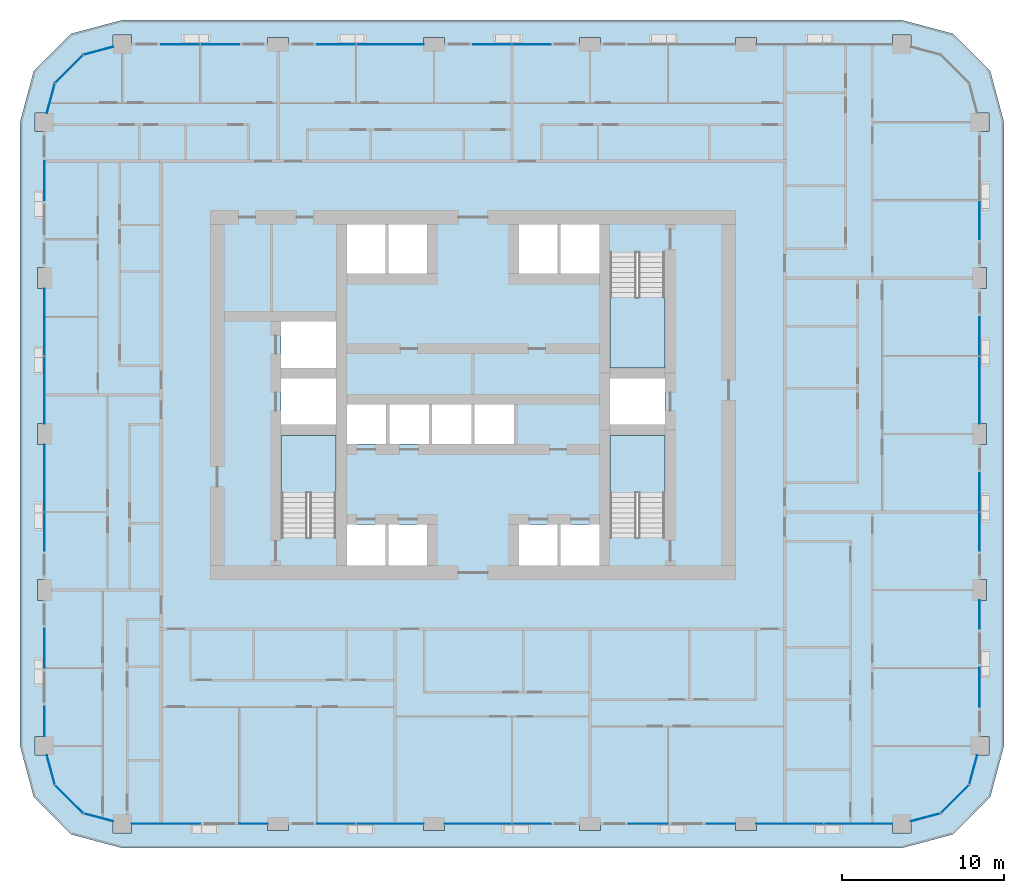
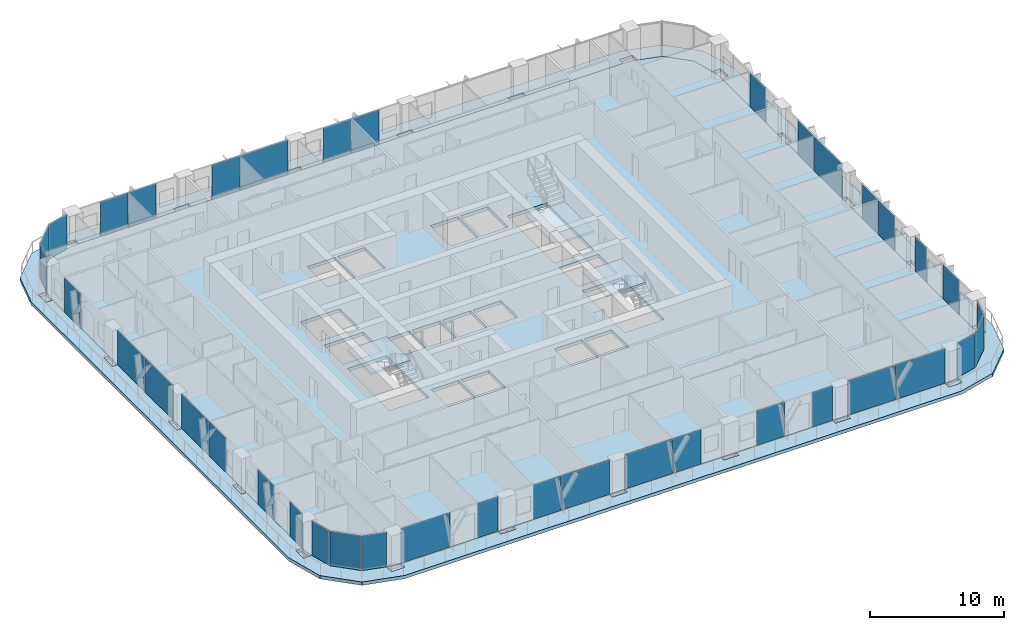
# One storey, part 7 of 22: 39 plates, 5 slabs, 22 elements without a shape of their own.
"""IFC4 building model written with IfcOpenShell, lengths in metres."""

from ifc_helpers import new_model, si_unit, direction, frame, origin, origin_2d, place, context, subcontext, project, spatial, polyline, rectangle, outline, extrude, material, layer, layer_set, type_object, element, aggregate, save


model = new_model("IFC4")

# Units and contexts
model_context = context("Model", 3, precision=1e-05, world=origin(), true_north=direction((0.0, 1.0)))
body_context = subcontext(model_context, "Body", "Model", "MODEL_VIEW")
ifc_project = project(units=[si_unit("LENGTHUNIT", "METRE"), si_unit("AREAUNIT", "SQUARE_METRE"), si_unit("VOLUMEUNIT", "CUBIC_METRE"), si_unit("PLANEANGLEUNIT", "RADIAN"), si_unit("MASSUNIT", "GRAM", prefix="KILO")], contexts=[model_context])

# Site, building, storey
site_placement = place(None, origin())
site = spatial("IfcSite", under=ifc_project, at=site_placement, CompositionType="ELEMENT")
building_placement = place(site_placement, origin())
building = spatial("IfcBuilding", under=site, at=building_placement, Name="Madar Terraces", CompositionType="ELEMENT")
storey_placement = place(building_placement, frame((0.0, 0.0, 73.300048828125)))
storey = spatial("IfcBuildingStorey", under=building, at=storey_placement, Name="L18", CompositionType="ELEMENT", Elevation=73.300048828125)

# Slabs
ifc_material_1 = material(Name="Concrete C50/60", Category="concrete")
ifc_layer_1 = layer(ifc_material_1, 0.300048828125)
ifc_layer_set_1 = layer_set([ifc_layer_1], Name="Balcony band 300")
slab_type_1 = type_object("IfcSlabType", Name="Balcony band 300", PredefinedType="FLOOR", material=ifc_layer_set_1)
slab_1_placement = place(storey_placement, frame((0.0, 0.0, -0.300048828125)))
element("IfcSlab", 1, at=slab_1_placement, inside=storey, type_object=slab_type_1, Name="Balcony band", PredefinedType="FLOOR", context=body_context, shape_type="SweptSolid", body=[
    extrude(outline(polyline([(9.60009765625, -1.5), (6.449951171875, -0.656005859375), (4.14404296875, 1.64990234375), (3.300048828125, 4.800048828125), (3.300048828125, 43.199951171875), (4.14404296875, 46.35009765625), (6.449951171875, 48.656005859375), (9.60009765625, 49.5), (57.60009765625, 49.5), (60.75, 48.656005859375), (63.055908203125, 46.35009765625), (63.89990234375, 43.199951171875), (63.89990234375, 4.800048828125), (63.055908203125, 1.64990234375), (60.75, -0.656005859375), (57.60009765625, -1.5), (9.60009765625, -1.5)]), holes=[polyline([(10.175048828125, -0.574951171875), (10.175048828125, 0.0), (18.550048828125, 0.0), (18.550048828125, -0.425048828125), (19.85009765625, -0.425048828125), (19.85009765625, 0.0), (28.14990234375, 0.0), (28.14990234375, -0.425048828125), (29.449951171875, -0.425048828125), (29.449951171875, 0.0), (37.75, 0.0), (37.75, -0.425048828125), (39.050048828125, -0.425048828125), (39.050048828125, 0.0), (47.35009765625, 0.0), (47.35009765625, -0.425048828125), (48.64990234375, -0.425048828125), (48.64990234375, 0.0), (57.02490234375, 0.0), (57.02490234375, -0.574951171875), (58.175048828125, -0.574951171875), (58.175048828125, 0.154052734375), (60.0, 0.64306640625), (61.7568359375, 2.39990234375), (62.245849609375, 4.22509765625), (62.97509765625, 4.22509765625), (62.97509765625, 5.375), (62.39990234375, 5.375), (62.39990234375, 13.75), (62.824951171875, 13.75), (62.824951171875, 15.050048828125), (62.39990234375, 15.050048828125), (62.39990234375, 23.35009765625), (62.824951171875, 23.35009765625), (62.824951171875, 24.64990234375), (62.39990234375, 24.64990234375), (62.39990234375, 32.949951171875), (62.824951171875, 32.949951171875), (62.824951171875, 34.25), (62.39990234375, 34.25), (62.39990234375, 42.625), (62.97509765625, 42.625), (62.97509765625, 43.77490234375), (62.245849609375, 43.77490234375), (61.7568359375, 45.60009765625), (60.0, 47.35693359375), (58.175048828125, 47.845947265625), (58.175048828125, 48.574951171875), (57.02490234375, 48.574951171875), (57.02490234375, 48.0), (48.64990234375, 48.0), (48.64990234375, 48.425048828125), (47.35009765625, 48.425048828125), (47.35009765625, 48.0), (39.050048828125, 48.0), (39.050048828125, 48.425048828125), (37.75, 48.425048828125), (37.75, 48.0), (29.449951171875, 48.0), (29.449951171875, 48.425048828125), (28.14990234375, 48.425048828125), (28.14990234375, 48.0), (19.85009765625, 48.0), (19.85009765625, 48.425048828125), (18.550048828125, 48.425048828125), (18.550048828125, 48.0), (10.175048828125, 48.0), (10.175048828125, 48.574951171875), (9.02490234375, 48.574951171875), (9.02490234375, 47.845947265625), (7.199951171875, 47.35693359375), (5.443115234375, 45.60009765625), (4.9541015625, 43.77490234375), (4.22509765625, 43.77490234375), (4.22509765625, 42.625), (4.800048828125, 42.625), (4.800048828125, 34.25), (4.375, 34.25), (4.375, 32.949951171875), (4.800048828125, 32.949951171875), (4.800048828125, 24.64990234375), (4.375, 24.64990234375), (4.375, 23.35009765625), (4.800048828125, 23.35009765625), (4.800048828125, 15.050048828125), (4.375, 15.050048828125), (4.375, 13.75), (4.800048828125, 13.75), (4.800048828125, 5.375), (4.22509765625, 5.375), (4.22509765625, 4.22509765625), (4.9541015625, 4.22509765625), (5.443115234375, 2.39990234375), (7.199951171875, 0.64306640625), (9.02490234375, 0.154052734375), (9.02490234375, -0.574951171875), (10.175048828125, -0.574951171875)])]), origin(), (0.0, 0.0, 1.0), 0.300048828125),
])
ifc_material_2 = material(Name="Concrete C50/60", Category="concrete")
ifc_layer_2 = layer(ifc_material_2, 0.300048828125)
ifc_layer_set_2 = layer_set([ifc_layer_2], Name="FS2 PT flat slab 300")
slab_type_2 = type_object("IfcSlabType", Name="FS2 PT flat slab 300", PredefinedType="FLOOR", material=ifc_layer_set_2)
slab_2_placement = place(storey_placement, frame((0.0, 0.0, -0.300048828125)))
element("IfcSlab", 2, at=slab_2_placement, inside=storey, type_object=slab_type_2, Name="Floor slab L18 (1)", PredefinedType="FLOOR", context=body_context, shape_type="SweptSolid", body=[
    extrude(outline(polyline([(57.60009765625, 0.0), (60.0, 0.64306640625), (61.7568359375, 2.39990234375), (62.39990234375, 4.800048828125), (62.39990234375, 43.199951171875), (61.7568359375, 45.60009765625), (60.0, 47.35693359375), (57.60009765625, 48.0), (9.60009765625, 48.0), (7.199951171875, 47.35693359375), (5.443115234375, 45.60009765625), (4.800048828125, 43.199951171875), (4.800048828125, 4.800048828125), (5.443115234375, 2.39990234375), (7.199951171875, 0.64306640625), (9.60009765625, 0.0), (57.60009765625, 0.0)]), holes=[polyline([(23.425048828125, 15.89990234375), (23.425048828125, 18.425048828125), (25.800048828125, 18.425048828125), (25.800048828125, 15.89990234375), (23.425048828125, 15.89990234375)]), polyline([(26.0, 15.89990234375), (26.0, 18.425048828125), (28.375, 18.425048828125), (28.375, 15.89990234375), (26.0, 15.89990234375)]), polyline([(19.375, 17.64990234375), (19.375, 23.925048828125), (22.77490234375, 23.925048828125), (22.77490234375, 17.64990234375), (19.375, 17.64990234375)]), polyline([(23.425048828125, 23.375), (23.425048828125, 25.824951171875), (25.85009765625, 25.824951171875), (25.85009765625, 23.375), (23.425048828125, 23.375)]), polyline([(26.050048828125, 23.375), (26.050048828125, 25.824951171875), (28.47509765625, 25.824951171875), (28.47509765625, 23.375), (26.050048828125, 23.375)]), polyline([(19.375, 24.574951171875), (19.375, 27.425048828125), (22.77490234375, 27.425048828125), (22.77490234375, 24.574951171875), (19.375, 24.574951171875)]), polyline([(19.375, 28.074951171875), (19.375, 30.925048828125), (22.77490234375, 30.925048828125), (22.77490234375, 28.074951171875), (19.375, 28.074951171875)]), polyline([(23.425048828125, 36.89990234375), (25.800048828125, 36.89990234375), (25.800048828125, 33.875), (23.425048828125, 33.875), (23.425048828125, 36.89990234375)]), polyline([(26.0, 36.89990234375), (28.375, 36.89990234375), (28.375, 33.875), (26.0, 33.875), (26.0, 36.89990234375)]), polyline([(34.02490234375, 15.89990234375), (34.02490234375, 18.425048828125), (36.39990234375, 18.425048828125), (36.39990234375, 15.89990234375), (34.02490234375, 15.89990234375)]), polyline([(36.60009765625, 15.89990234375), (36.60009765625, 18.425048828125), (38.97509765625, 18.425048828125), (38.97509765625, 15.89990234375), (36.60009765625, 15.89990234375)]), polyline([(39.625, 17.64990234375), (39.625, 23.925048828125), (43.02490234375, 23.925048828125), (43.02490234375, 17.64990234375), (39.625, 17.64990234375)]), polyline([(28.675048828125, 23.375), (28.675048828125, 25.824951171875), (31.10009765625, 25.824951171875), (31.10009765625, 23.375), (28.675048828125, 23.375)]), polyline([(31.300048828125, 23.375), (31.300048828125, 25.824951171875), (33.72509765625, 25.824951171875), (33.72509765625, 23.375), (31.300048828125, 23.375)]), polyline([(39.625, 24.574951171875), (39.625, 27.425048828125), (43.02490234375, 27.425048828125), (43.02490234375, 24.574951171875), (39.625, 24.574951171875)]), polyline([(39.625, 28.074951171875), (39.625, 35.14990234375), (43.02490234375, 35.14990234375), (43.02490234375, 28.074951171875), (39.625, 28.074951171875)]), polyline([(34.02490234375, 36.89990234375), (36.39990234375, 36.89990234375), (36.39990234375, 33.875), (34.02490234375, 33.875), (34.02490234375, 36.89990234375)]), polyline([(36.60009765625, 36.89990234375), (38.97509765625, 36.89990234375), (38.97509765625, 33.875), (36.60009765625, 33.875), (36.60009765625, 36.89990234375)])]), origin(), (0.0, 0.0, 1.0), 0.300048828125),
])

# Curtain wall, plates
ifc_material_3 = material(Name="Glass, ceramic frit dark grey, with black aluminium frame", Category="aluminium")
ifc_layer_3 = layer(ifc_material_3, 0.199951171875)
ifc_layer_set_3 = layer_set([ifc_layer_3], Name="Facade curtain wall, fritted glass")
curtain_wall_type = type_object("IfcCurtainWallType", Name="Facade curtain wall, fritted glass", PredefinedType="NOTDEFINED", material=ifc_layer_set_3)
curtain_wall_1_placement = place(storey_placement, origin())
curtain_wall_1 = element("IfcCurtainWall", 3, at=curtain_wall_1_placement, inside=storey, type_object=curtain_wall_type, Name="Outer skin curtain wall south bay 1", PredefinedType="NOTDEFINED")
ifc_material_4 = material(Name="Glass, ceramic frit dark grey", Category="glass")
ifc_layer_4 = layer(ifc_material_4, 0.028076171875)
ifc_layer_set_4 = layer_set([ifc_layer_4], Name="Facade glass panel 28")
plate_type = type_object("IfcPlateType", Name="Facade glass panel 28", PredefinedType="CURTAIN_PANEL", material=ifc_layer_set_4)
plate_1_placement = place(storey_placement, frame((12.28759765625, 0.0, 0.0), z_axis=(0.0, 0.0, 1.0), x_axis=(1.0, 0.0, 0.0)))
plate_1 = element("IfcPlate", 4, at=plate_1_placement, type_object=plate_type, Name="Panel 1", PredefinedType="CURTAIN_PANEL", context=body_context, shape_type="SweptSolid", body=[
    extrude(rectangle(XDim=4.22509765625, YDim=0.028076171875, at=origin_2d()), origin(), (0.0, 0.0, 1.0), 3.139892578125),
])
plate_2_placement = place(storey_placement, frame((17.675048828125, 0.0, 0.0), z_axis=(0.0, 0.0, 1.0), x_axis=(1.0, 0.0, 0.0)))
plate_2 = element("IfcPlate", 5, at=plate_2_placement, type_object=plate_type, Name="Panel 2", PredefinedType="CURTAIN_PANEL", context=body_context, shape_type="SweptSolid", body=[
    extrude(rectangle(XDim=1.75, YDim=0.028076171875, at=origin_2d()), origin(), (0.0, 0.0, 1.0), 3.139892578125),
])
aggregate(curtain_wall_1, [plate_1, plate_2])

curtain_wall_2_placement = place(storey_placement, origin())
curtain_wall_2 = element("IfcCurtainWall", 6, at=curtain_wall_2_placement, inside=storey, type_object=curtain_wall_type, Name="Outer skin curtain wall south bay 2", PredefinedType="NOTDEFINED")
plate_3_placement = place(storey_placement, frame((22.784912109375, 0.0, 0.0), z_axis=(0.0, 0.0, 1.0), x_axis=(1.0, 0.0, 0.0)))
plate_3 = element("IfcPlate", 7, at=plate_3_placement, type_object=plate_type, Name="Panel 1", PredefinedType="CURTAIN_PANEL", context=body_context, shape_type="SweptSolid", body=[
    extrude(rectangle(XDim=2.3701171875, YDim=0.028076171875, at=origin_2d()), origin(), (0.0, 0.0, 1.0), 3.139892578125),
])
plate_4_placement = place(storey_placement, frame((26.090087890625, 0.0, 0.0), z_axis=(0.0, 0.0, 1.0), x_axis=(1.0, 0.0, 0.0)))
plate_4 = element("IfcPlate", 8, at=plate_4_placement, type_object=plate_type, Name="Panel 2", PredefinedType="CURTAIN_PANEL", context=body_context, shape_type="SweptSolid", body=[
    extrude(rectangle(XDim=4.1201171875, YDim=0.028076171875, at=origin_2d()), origin(), (0.0, 0.0, 1.0), 3.139892578125),
])
aggregate(curtain_wall_2, [plate_3, plate_4])

curtain_wall_3_placement = place(storey_placement, origin())
curtain_wall_3 = element("IfcCurtainWall", 9, at=curtain_wall_3_placement, inside=storey, type_object=curtain_wall_type, Name="Outer skin curtain wall south bay 3", PredefinedType="NOTDEFINED")
plate_5_placement = place(storey_placement, frame((31.510009765625, 0.0, 0.0), z_axis=(0.0, 0.0, 1.0), x_axis=(1.0, 0.0, 0.0)))
plate_5 = element("IfcPlate", 10, at=plate_5_placement, type_object=plate_type, Name="Panel 1", PredefinedType="CURTAIN_PANEL", context=body_context, shape_type="SweptSolid", body=[
    extrude(rectangle(XDim=4.1201171875, YDim=0.028076171875, at=origin_2d()), origin(), (0.0, 0.0, 1.0), 3.139892578125),
])
plate_6_placement = place(storey_placement, frame((34.81494140625, 0.0, 0.0), z_axis=(0.0, 0.0, 1.0), x_axis=(1.0, 0.0, 0.0)))
plate_6 = element("IfcPlate", 11, at=plate_6_placement, type_object=plate_type, Name="Panel 2", PredefinedType="CURTAIN_PANEL", context=body_context, shape_type="SweptSolid", body=[
    extrude(rectangle(XDim=2.3701171875, YDim=0.028076171875, at=origin_2d()), origin(), (0.0, 0.0, 1.0), 3.139892578125),
])
aggregate(curtain_wall_3, [plate_5, plate_6])

curtain_wall_4_placement = place(storey_placement, origin())
curtain_wall_4 = element("IfcCurtainWall", 12, at=curtain_wall_4_placement, inside=storey, type_object=curtain_wall_type, Name="Outer skin curtain wall south bay 4", PredefinedType="NOTDEFINED")
plate_7_placement = place(storey_placement, frame((42.0, 0.0, 0.0), z_axis=(0.0, 0.0, 1.0), x_axis=(1.0, 0.0, 0.0)))
plate_7 = element("IfcPlate", 13, at=plate_7_placement, type_object=plate_type, Name="Panel 1", PredefinedType="CURTAIN_PANEL", context=body_context, shape_type="SweptSolid", body=[
    extrude(rectangle(XDim=2.39990234375, YDim=0.028076171875, at=origin_2d()), origin(), (0.0, 0.0, 1.0), 3.139892578125),
])
plate_8_placement = place(storey_placement, frame((46.47509765625, 0.0, 0.0), z_axis=(0.0, 0.0, 1.0), x_axis=(1.0, 0.0, 0.0)))
plate_8 = element("IfcPlate", 14, at=plate_8_placement, type_object=plate_type, Name="Panel 2", PredefinedType="CURTAIN_PANEL", context=body_context, shape_type="SweptSolid", body=[
    extrude(rectangle(XDim=1.75, YDim=0.028076171875, at=origin_2d()), origin(), (0.0, 0.0, 1.0), 3.139892578125),
])
aggregate(curtain_wall_4, [plate_7, plate_8])

curtain_wall_5_placement = place(storey_placement, origin())
curtain_wall_5 = element("IfcCurtainWall", 15, at=curtain_wall_5_placement, inside=storey, type_object=curtain_wall_type, Name="Outer skin curtain wall south bay 5", PredefinedType="NOTDEFINED")
plate_9_placement = place(storey_placement, frame((50.7099609375, 0.0, 0.0), z_axis=(0.0, 0.0, 1.0), x_axis=(1.0, 0.0, 0.0)))
plate_9 = element("IfcPlate", 16, at=plate_9_placement, type_object=plate_type, Name="Panel 1", PredefinedType="CURTAIN_PANEL", context=body_context, shape_type="SweptSolid", body=[
    extrude(rectangle(XDim=4.1201171875, YDim=0.028076171875, at=origin_2d()), origin(), (0.0, 0.0, 1.0), 3.139892578125),
])
plate_10_placement = place(storey_placement, frame((54.927490234375, 0.0, 0.0), z_axis=(0.0, 0.0, 1.0), x_axis=(1.0, 0.0, 0.0)))
plate_10 = element("IfcPlate", 17, at=plate_10_placement, type_object=plate_type, Name="Panel 2", PredefinedType="CURTAIN_PANEL", context=body_context, shape_type="SweptSolid", body=[
    extrude(rectangle(XDim=4.195068359375, YDim=0.028076171875, at=origin_2d()), origin(), (0.0, 0.0, 1.0), 3.139892578125),
])
aggregate(curtain_wall_5, [plate_9, plate_10])

curtain_wall_6_placement = place(storey_placement, origin())
curtain_wall_6 = element("IfcCurtainWall", 18, at=curtain_wall_6_placement, inside=storey, type_object=curtain_wall_type, Name="Outer skin curtain wall east bay 1", PredefinedType="NOTDEFINED")
plate_11_placement = place(storey_placement, frame((62.39990234375, 8.39990234375, 0.0), z_axis=(0.0, 0.0, 1.0), x_axis=(0.0, 1.0, 0.0)))
plate_11 = element("IfcPlate", 19, at=plate_11_placement, type_object=plate_type, Name="Panel 1", PredefinedType="CURTAIN_PANEL", context=body_context, shape_type="SweptSolid", body=[
    extrude(rectangle(XDim=2.39990234375, YDim=0.028076171875, at=origin_2d()), origin(), (0.0, 0.0, 1.0), 3.139892578125),
])
plate_12_placement = place(storey_placement, frame((62.39990234375, 12.875, 0.0), z_axis=(0.0, 0.0, 1.0), x_axis=(0.0, 1.0, 0.0)))
plate_12 = element("IfcPlate", 20, at=plate_12_placement, type_object=plate_type, Name="Panel 2", PredefinedType="CURTAIN_PANEL", context=body_context, shape_type="SweptSolid", body=[
    extrude(rectangle(XDim=1.75, YDim=0.028076171875, at=origin_2d()), origin(), (0.0, 0.0, 1.0), 3.139892578125),
])
aggregate(curtain_wall_6, [plate_11, plate_12])

curtain_wall_7_placement = place(storey_placement, origin())
curtain_wall_7 = element("IfcCurtainWall", 21, at=curtain_wall_7_placement, inside=storey, type_object=curtain_wall_type, Name="Outer skin curtain wall east bay 2", PredefinedType="NOTDEFINED")
plate_13_placement = place(storey_placement, frame((62.39990234375, 17.985107421875, 0.0), z_axis=(0.0, 0.0, 1.0), x_axis=(0.0, 1.0, 0.0)))
plate_13 = element("IfcPlate", 22, at=plate_13_placement, type_object=plate_type, Name="Panel 1", PredefinedType="CURTAIN_PANEL", context=body_context, shape_type="SweptSolid", body=[
    extrude(rectangle(XDim=2.3701171875, YDim=0.028076171875, at=origin_2d()), origin(), (0.0, 0.0, 1.0), 3.139892578125),
])
plate_14_placement = place(storey_placement, frame((62.39990234375, 20.4150390625, 0.0), z_axis=(0.0, 0.0, 1.0), x_axis=(0.0, 1.0, 0.0)))
plate_14 = element("IfcPlate", 23, at=plate_14_placement, type_object=plate_type, Name="Panel 2", PredefinedType="CURTAIN_PANEL", context=body_context, shape_type="SweptSolid", body=[
    extrude(rectangle(XDim=2.3701171875, YDim=0.028076171875, at=origin_2d()), origin(), (0.0, 0.0, 1.0), 3.139892578125),
])
aggregate(curtain_wall_7, [plate_13, plate_14])

curtain_wall_8_placement = place(storey_placement, origin())
curtain_wall_8 = element("IfcCurtainWall", 24, at=curtain_wall_8_placement, inside=storey, type_object=curtain_wall_type, Name="Outer skin curtain wall east bay 3", PredefinedType="NOTDEFINED")
plate_15_placement = place(storey_placement, frame((62.39990234375, 26.7099609375, 0.0), z_axis=(0.0, 0.0, 1.0), x_axis=(0.0, 1.0, 0.0)))
plate_15 = element("IfcPlate", 25, at=plate_15_placement, type_object=plate_type, Name="Panel 1", PredefinedType="CURTAIN_PANEL", context=body_context, shape_type="SweptSolid", body=[
    extrude(rectangle(XDim=4.1201171875, YDim=0.028076171875, at=origin_2d()), origin(), (0.0, 0.0, 1.0), 3.139892578125),
])
plate_16_placement = place(storey_placement, frame((62.39990234375, 30.014892578125, 0.0), z_axis=(0.0, 0.0, 1.0), x_axis=(0.0, 1.0, 0.0)))
plate_16 = element("IfcPlate", 26, at=plate_16_placement, type_object=plate_type, Name="Panel 2", PredefinedType="CURTAIN_PANEL", context=body_context, shape_type="SweptSolid", body=[
    extrude(rectangle(XDim=2.3701171875, YDim=0.028076171875, at=origin_2d()), origin(), (0.0, 0.0, 1.0), 3.139892578125),
])
aggregate(curtain_wall_8, [plate_15, plate_16])

# Curtain wall, plate
curtain_wall_9_placement = place(storey_placement, origin())
curtain_wall_9 = element("IfcCurtainWall", 27, at=curtain_wall_9_placement, inside=storey, type_object=curtain_wall_type, Name="Outer skin curtain wall east bay 4", PredefinedType="NOTDEFINED")
plate_17_placement = place(storey_placement, frame((62.39990234375, 37.18505859375, 0.0), z_axis=(0.0, 0.0, 1.0), x_axis=(0.0, 1.0, 0.0)))
plate_17 = element("IfcPlate", 28, at=plate_17_placement, type_object=plate_type, Name="Panel 1", PredefinedType="CURTAIN_PANEL", context=body_context, shape_type="SweptSolid", body=[
    extrude(rectangle(XDim=2.3701171875, YDim=0.028076171875, at=origin_2d()), origin(), (0.0, 0.0, 1.0), 3.139892578125),
])
aggregate(curtain_wall_9, [plate_17])

# Curtain wall, plates
curtain_wall_10_placement = place(storey_placement, origin())
curtain_wall_10 = element("IfcCurtainWall", 29, at=curtain_wall_10_placement, inside=storey, type_object=curtain_wall_type, Name="Outer skin curtain wall north bay 3", PredefinedType="NOTDEFINED")
plate_18_placement = place(storey_placement, frame((34.81494140625, 48.0, 0.0), z_axis=(0.0, 0.0, 1.0), x_axis=(-1.0, 0.0, 0.0)))
plate_18 = element("IfcPlate", 30, at=plate_18_placement, type_object=plate_type, Name="Panel 1", PredefinedType="CURTAIN_PANEL", context=body_context, shape_type="SweptSolid", body=[
    extrude(rectangle(XDim=2.3701171875, YDim=0.028076171875, at=origin_2d()), origin(), (0.0, 0.0, 1.0), 3.139892578125),
])
plate_19_placement = place(storey_placement, frame((32.385009765625, 48.0, 0.0), z_axis=(0.0, 0.0, 1.0), x_axis=(-1.0, 0.0, 0.0)))
plate_19 = element("IfcPlate", 31, at=plate_19_placement, type_object=plate_type, Name="Panel 2", PredefinedType="CURTAIN_PANEL", context=body_context, shape_type="SweptSolid", body=[
    extrude(rectangle(XDim=2.3701171875, YDim=0.028076171875, at=origin_2d()), origin(), (0.0, 0.0, 1.0), 3.139892578125),
])
aggregate(curtain_wall_10, [plate_18, plate_19])

curtain_wall_11_placement = place(storey_placement, origin())
curtain_wall_11 = element("IfcCurtainWall", 32, at=curtain_wall_11_placement, inside=storey, type_object=curtain_wall_type, Name="Outer skin curtain wall north bay 4", PredefinedType="NOTDEFINED")
plate_20_placement = place(storey_placement, frame((26.090087890625, 48.0, 0.0), z_axis=(0.0, 0.0, 1.0), x_axis=(-1.0, 0.0, 0.0)))
plate_20 = element("IfcPlate", 33, at=plate_20_placement, type_object=plate_type, Name="Panel 1", PredefinedType="CURTAIN_PANEL", context=body_context, shape_type="SweptSolid", body=[
    extrude(rectangle(XDim=4.1201171875, YDim=0.028076171875, at=origin_2d()), origin(), (0.0, 0.0, 1.0), 3.139892578125),
])
plate_21_placement = place(storey_placement, frame((22.784912109375, 48.0, 0.0), z_axis=(0.0, 0.0, 1.0), x_axis=(-1.0, 0.0, 0.0)))
plate_21 = element("IfcPlate", 34, at=plate_21_placement, type_object=plate_type, Name="Panel 2", PredefinedType="CURTAIN_PANEL", context=body_context, shape_type="SweptSolid", body=[
    extrude(rectangle(XDim=2.3701171875, YDim=0.028076171875, at=origin_2d()), origin(), (0.0, 0.0, 1.0), 3.139892578125),
])
aggregate(curtain_wall_11, [plate_20, plate_21])

curtain_wall_12_placement = place(storey_placement, origin())
curtain_wall_12 = element("IfcCurtainWall", 35, at=curtain_wall_12_placement, inside=storey, type_object=curtain_wall_type, Name="Outer skin curtain wall north bay 5", PredefinedType="NOTDEFINED")
plate_22_placement = place(storey_placement, frame((15.614990234375, 48.0, 0.0), z_axis=(0.0, 0.0, 1.0), x_axis=(-1.0, 0.0, 0.0)))
plate_22 = element("IfcPlate", 36, at=plate_22_placement, type_object=plate_type, Name="Panel 1", PredefinedType="CURTAIN_PANEL", context=body_context, shape_type="SweptSolid", body=[
    extrude(rectangle(XDim=2.3701171875, YDim=0.028076171875, at=origin_2d()), origin(), (0.0, 0.0, 1.0), 3.139892578125),
])
plate_23_placement = place(storey_placement, frame((13.18505859375, 48.0, 0.0), z_axis=(0.0, 0.0, 1.0), x_axis=(-1.0, 0.0, 0.0)))
plate_23 = element("IfcPlate", 37, at=plate_23_placement, type_object=plate_type, Name="Panel 2", PredefinedType="CURTAIN_PANEL", context=body_context, shape_type="SweptSolid", body=[
    extrude(rectangle(XDim=2.3701171875, YDim=0.028076171875, at=origin_2d()), origin(), (0.0, 0.0, 1.0), 3.139892578125),
])
aggregate(curtain_wall_12, [plate_22, plate_23])

# Curtain wall, plate
curtain_wall_13_placement = place(storey_placement, origin())
curtain_wall_13 = element("IfcCurtainWall", 38, at=curtain_wall_13_placement, inside=storey, type_object=curtain_wall_type, Name="Outer skin curtain wall west bay 1", PredefinedType="NOTDEFINED")
plate_24_placement = place(storey_placement, frame((4.800048828125, 39.60009765625, 0.0), z_axis=(0.0, 0.0, 1.0), x_axis=(0.0, -1.0, 0.0)))
plate_24 = element("IfcPlate", 39, at=plate_24_placement, type_object=plate_type, Name="Panel 1", PredefinedType="CURTAIN_PANEL", context=body_context, shape_type="SweptSolid", body=[
    extrude(rectangle(XDim=2.39990234375, YDim=0.028076171875, at=origin_2d()), origin(), (0.0, 0.0, 1.0), 3.139892578125),
])
aggregate(curtain_wall_13, [plate_24])

# Curtain wall, plates
curtain_wall_14_placement = place(storey_placement, origin())
curtain_wall_14 = element("IfcCurtainWall", 40, at=curtain_wall_14_placement, inside=storey, type_object=curtain_wall_type, Name="Outer skin curtain wall west bay 2", PredefinedType="NOTDEFINED")
plate_25_placement = place(storey_placement, frame((4.800048828125, 30.889892578125, 0.0), z_axis=(0.0, 0.0, 1.0), x_axis=(0.0, -1.0, 0.0)))
plate_25 = element("IfcPlate", 41, at=plate_25_placement, type_object=plate_type, Name="Panel 1", PredefinedType="CURTAIN_PANEL", context=body_context, shape_type="SweptSolid", body=[
    extrude(rectangle(XDim=4.1201171875, YDim=0.028076171875, at=origin_2d()), origin(), (0.0, 0.0, 1.0), 3.139892578125),
])
plate_26_placement = place(storey_placement, frame((4.800048828125, 26.7099609375, 0.0), z_axis=(0.0, 0.0, 1.0), x_axis=(0.0, -1.0, 0.0)))
plate_26 = element("IfcPlate", 42, at=plate_26_placement, type_object=plate_type, Name="Panel 2", PredefinedType="CURTAIN_PANEL", context=body_context, shape_type="SweptSolid", body=[
    extrude(rectangle(XDim=4.1201171875, YDim=0.028076171875, at=origin_2d()), origin(), (0.0, 0.0, 1.0), 3.139892578125),
])
aggregate(curtain_wall_14, [plate_25, plate_26])

curtain_wall_15_placement = place(storey_placement, origin())
curtain_wall_15 = element("IfcCurtainWall", 43, at=curtain_wall_15_placement, inside=storey, type_object=curtain_wall_type, Name="Outer skin curtain wall west bay 3", PredefinedType="NOTDEFINED")
plate_27_placement = place(storey_placement, frame((4.800048828125, 21.2900390625, 0.0), z_axis=(0.0, 0.0, 1.0), x_axis=(0.0, -1.0, 0.0)))
plate_27 = element("IfcPlate", 44, at=plate_27_placement, type_object=plate_type, Name="Panel 1", PredefinedType="CURTAIN_PANEL", context=body_context, shape_type="SweptSolid", body=[
    extrude(rectangle(XDim=4.1201171875, YDim=0.028076171875, at=origin_2d()), origin(), (0.0, 0.0, 1.0), 3.139892578125),
])
plate_28_placement = place(storey_placement, frame((4.800048828125, 17.985107421875, 0.0), z_axis=(0.0, 0.0, 1.0), x_axis=(0.0, -1.0, 0.0)))
plate_28 = element("IfcPlate", 45, at=plate_28_placement, type_object=plate_type, Name="Panel 2", PredefinedType="CURTAIN_PANEL", context=body_context, shape_type="SweptSolid", body=[
    extrude(rectangle(XDim=2.3701171875, YDim=0.028076171875, at=origin_2d()), origin(), (0.0, 0.0, 1.0), 3.139892578125),
])
aggregate(curtain_wall_15, [plate_27, plate_28])

curtain_wall_16_placement = place(storey_placement, origin())
curtain_wall_16 = element("IfcCurtainWall", 46, at=curtain_wall_16_placement, inside=storey, type_object=curtain_wall_type, Name="Outer skin curtain wall west bay 4", PredefinedType="NOTDEFINED")
plate_29_placement = place(storey_placement, frame((4.800048828125, 10.800048828125, 0.0), z_axis=(0.0, 0.0, 1.0), x_axis=(0.0, -1.0, 0.0)))
plate_29 = element("IfcPlate", 47, at=plate_29_placement, type_object=plate_type, Name="Panel 1", PredefinedType="CURTAIN_PANEL", context=body_context, shape_type="SweptSolid", body=[
    extrude(rectangle(XDim=2.39990234375, YDim=0.028076171875, at=origin_2d()), origin(), (0.0, 0.0, 1.0), 3.139892578125),
])
plate_30_placement = place(storey_placement, frame((4.800048828125, 6.28759765625, 0.0), z_axis=(0.0, 0.0, 1.0), x_axis=(0.0, -1.0, 0.0)))
plate_30 = element("IfcPlate", 48, at=plate_30_placement, type_object=plate_type, Name="Panel 2", PredefinedType="CURTAIN_PANEL", context=body_context, shape_type="SweptSolid", body=[
    extrude(rectangle(XDim=1.824951171875, YDim=0.028076171875, at=origin_2d()), origin(), (0.0, 0.0, 1.0), 3.139892578125),
])
aggregate(curtain_wall_16, [plate_29, plate_30])

curtain_wall_17_placement = place(storey_placement, origin())
curtain_wall_17 = element("IfcCurtainWall", 49, at=curtain_wall_17_placement, inside=storey, type_object=curtain_wall_type, Name="Outer skin curtain wall south-east corner", PredefinedType="NOTDEFINED")
plate_31_placement = place(storey_placement, frame((59.072998046875, 0.394775390625, 0.0), z_axis=(0.0, 0.0, 1.0), x_axis=(0.965925832509, 0.258819021888, 0.0)))
plate_31 = element("IfcPlate", 50, at=plate_31_placement, type_object=plate_type, Name="Panel 1", PredefinedType="CURTAIN_PANEL", context=body_context, shape_type="SweptSolid", body=[
    extrude(rectangle(XDim=1.859375, YDim=0.028076171875, at=origin_2d()), origin(), (0.0, 0.0, 1.0), 3.139892578125),
])
plate_32_placement = place(storey_placement, frame((60.87841796875, 1.521484375, 0.0), z_axis=(0.0, 0.0, 1.0), x_axis=(0.707106781187, 0.707106781187, 0.0)))
plate_32 = element("IfcPlate", 51, at=plate_32_placement, type_object=plate_type, Name="Panel 2", PredefinedType="CURTAIN_PANEL", context=body_context, shape_type="SweptSolid", body=[
    extrude(rectangle(XDim=2.424560546875, YDim=0.028076171875, at=origin_2d()), origin(), (0.0, 0.0, 1.0), 3.139892578125),
])
plate_33_placement = place(storey_placement, frame((62.00537109375, 3.326904296875, 0.0), z_axis=(0.0, 0.0, 1.0), x_axis=(0.258819021888, 0.965925832509, 0.0)))
plate_33 = element("IfcPlate", 52, at=plate_33_placement, type_object=plate_type, Name="Panel 3", PredefinedType="CURTAIN_PANEL", context=body_context, shape_type="SweptSolid", body=[
    extrude(rectangle(XDim=1.859375, YDim=0.028076171875, at=origin_2d()), origin(), (0.0, 0.0, 1.0), 3.139892578125),
])
aggregate(curtain_wall_17, [plate_31, plate_32, plate_33])

curtain_wall_18_placement = place(storey_placement, origin())
curtain_wall_18 = element("IfcCurtainWall", 53, at=curtain_wall_18_placement, inside=storey, type_object=curtain_wall_type, Name="Outer skin curtain wall north-west corner", PredefinedType="NOTDEFINED")
plate_34_placement = place(storey_placement, frame((8.126953125, 47.605224609375, 0.0), z_axis=(0.0, 0.0, 1.0), x_axis=(-0.965925832509, -0.258819021888, 0.0)))
plate_34 = element("IfcPlate", 54, at=plate_34_placement, type_object=plate_type, Name="Panel 1", PredefinedType="CURTAIN_PANEL", context=body_context, shape_type="SweptSolid", body=[
    extrude(rectangle(XDim=1.859375, YDim=0.028076171875, at=origin_2d()), origin(), (0.0, 0.0, 1.0), 3.139892578125),
])
plate_35_placement = place(storey_placement, frame((6.321533203125, 46.478515625, 0.0), z_axis=(0.0, 0.0, 1.0), x_axis=(-0.707106781187, -0.707106781187, 0.0)))
plate_35 = element("IfcPlate", 55, at=plate_35_placement, type_object=plate_type, Name="Panel 2", PredefinedType="CURTAIN_PANEL", context=body_context, shape_type="SweptSolid", body=[
    extrude(rectangle(XDim=2.424560546875, YDim=0.028076171875, at=origin_2d()), origin(), (0.0, 0.0, 1.0), 3.139892578125),
])
plate_36_placement = place(storey_placement, frame((5.194580078125, 44.673095703125, 0.0), z_axis=(0.0, 0.0, 1.0), x_axis=(-0.258819021888, -0.965925832509, 0.0)))
plate_36 = element("IfcPlate", 56, at=plate_36_placement, type_object=plate_type, Name="Panel 3", PredefinedType="CURTAIN_PANEL", context=body_context, shape_type="SweptSolid", body=[
    extrude(rectangle(XDim=1.859375, YDim=0.028076171875, at=origin_2d()), origin(), (0.0, 0.0, 1.0), 3.139892578125),
])
aggregate(curtain_wall_18, [plate_34, plate_35, plate_36])

curtain_wall_19_placement = place(storey_placement, origin())
curtain_wall_19 = element("IfcCurtainWall", 57, at=curtain_wall_19_placement, inside=storey, type_object=curtain_wall_type, Name="Outer skin curtain wall south-west corner", PredefinedType="NOTDEFINED")
plate_37_placement = place(storey_placement, frame((5.194580078125, 3.326904296875, 0.0), z_axis=(0.0, 0.0, 1.0), x_axis=(0.258819021888, -0.965925832509, 0.0)))
plate_37 = element("IfcPlate", 58, at=plate_37_placement, type_object=plate_type, Name="Panel 1", PredefinedType="CURTAIN_PANEL", context=body_context, shape_type="SweptSolid", body=[
    extrude(rectangle(XDim=1.859375, YDim=0.028076171875, at=origin_2d()), origin(), (0.0, 0.0, 1.0), 3.139892578125),
])
plate_38_placement = place(storey_placement, frame((6.321533203125, 1.521484375, 0.0), z_axis=(0.0, 0.0, 1.0), x_axis=(0.707106781187, -0.707106781187, 0.0)))
plate_38 = element("IfcPlate", 59, at=plate_38_placement, type_object=plate_type, Name="Panel 2", PredefinedType="CURTAIN_PANEL", context=body_context, shape_type="SweptSolid", body=[
    extrude(rectangle(XDim=2.424560546875, YDim=0.028076171875, at=origin_2d()), origin(), (0.0, 0.0, 1.0), 3.139892578125),
])
plate_39_placement = place(storey_placement, frame((8.126953125, 0.394775390625, 0.0), z_axis=(0.0, 0.0, 1.0), x_axis=(0.965925832509, -0.258819021888, 0.0)))
plate_39 = element("IfcPlate", 60, at=plate_39_placement, type_object=plate_type, Name="Panel 3", PredefinedType="CURTAIN_PANEL", context=body_context, shape_type="SweptSolid", body=[
    extrude(rectangle(XDim=1.859375, YDim=0.028076171875, at=origin_2d()), origin(), (0.0, 0.0, 1.0), 3.139892578125),
])
aggregate(curtain_wall_19, [plate_37, plate_38, plate_39])

# Stair, slab
ifc_material_5 = material(Name="Concrete C50/60", Category="concrete")
stair_type_1 = type_object("IfcStairType", Name="Stair ST1 protected exit", PredefinedType="HALF_TURN_STAIR", material=ifc_material_5)
stair_1_placement = place(storey_placement, origin())
stair_1 = element("IfcStair", 61, at=stair_1_placement, inside=storey, type_object=stair_type_1, Name="L18 Protected Exit Stair ST1", PredefinedType="HALF_TURN_STAIR")
ifc_material_6 = material(Name="Concrete C50/60", Category="concrete")
ifc_layer_5 = layer(ifc_material_6, 0.199951171875)
ifc_layer_set_5 = layer_set([ifc_layer_5], Name="Stair landing 200, top +1.75")
slab_type_3 = type_object("IfcSlabType", Name="Stair landing 200, top +1.75", PredefinedType="LANDING", material=ifc_layer_set_5)
slab_3_placement = place(storey_placement, frame((0.0, 0.0, 1.550048828125)))
slab_3 = element("IfcSlab", 62, at=slab_3_placement, type_object=slab_type_3, Name="ST1 landing 1", PredefinedType="LANDING", context=body_context, shape_type="SweptSolid", body=[
    extrude(outline(polyline([(19.375, 20.360107421875), (22.77490234375, 20.360107421875), (22.77490234375, 23.925048828125), (19.375, 23.925048828125), (19.375, 20.360107421875)])), origin(), (0.0, 0.0, 1.0), 0.199951171875),
])
aggregate(stair_1, [slab_3])

ifc_material_7 = material(Name="Concrete C50/60", Category="concrete")
stair_type_2 = type_object("IfcStairType", Name="Stair ST2 protected exit", PredefinedType="HALF_TURN_STAIR", material=ifc_material_7)
stair_2_placement = place(storey_placement, origin())
stair_2 = element("IfcStair", 63, at=stair_2_placement, inside=storey, type_object=stair_type_2, Name="L18 Protected Exit Stair ST2", PredefinedType="HALF_TURN_STAIR")
slab_4_placement = place(storey_placement, frame((0.0, 0.0, 1.550048828125)))
slab_4 = element("IfcSlab", 64, at=slab_4_placement, type_object=slab_type_3, Name="ST2 landing 1", PredefinedType="LANDING", context=body_context, shape_type="SweptSolid", body=[
    extrude(outline(polyline([(39.625, 28.074951171875), (43.02490234375, 28.074951171875), (43.02490234375, 32.43994140625), (39.625, 32.43994140625), (39.625, 28.074951171875)])), origin(), (0.0, 0.0, 1.0), 0.199951171875),
])
aggregate(stair_2, [slab_4])

ifc_material_8 = material(Name="Concrete C50/60", Category="concrete")
stair_type_3 = type_object("IfcStairType", Name="Stair ST3 protected exit", PredefinedType="HALF_TURN_STAIR", material=ifc_material_8)
stair_3_placement = place(storey_placement, origin())
stair_3 = element("IfcStair", 65, at=stair_3_placement, inside=storey, type_object=stair_type_3, Name="L18 Protected Exit Stair ST3", PredefinedType="HALF_TURN_STAIR")
slab_5_placement = place(storey_placement, frame((0.0, 0.0, 1.550048828125)))
slab_5 = element("IfcSlab", 66, at=slab_5_placement, type_object=slab_type_3, Name="ST3 landing 1", PredefinedType="LANDING", context=body_context, shape_type="SweptSolid", body=[
    extrude(outline(polyline([(39.625, 20.360107421875), (43.02490234375, 20.360107421875), (43.02490234375, 23.925048828125), (39.625, 23.925048828125), (39.625, 20.360107421875)])), origin(), (0.0, 0.0, 1.0), 0.199951171875),
])
aggregate(stair_3, [slab_5])

save(model, "model.ifc")
